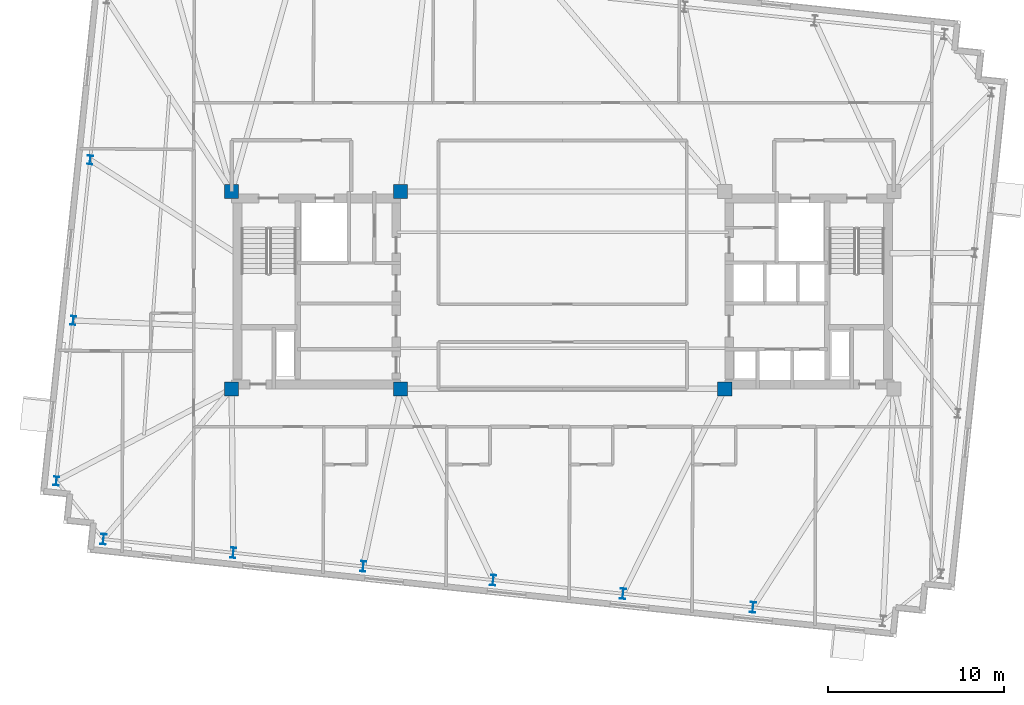
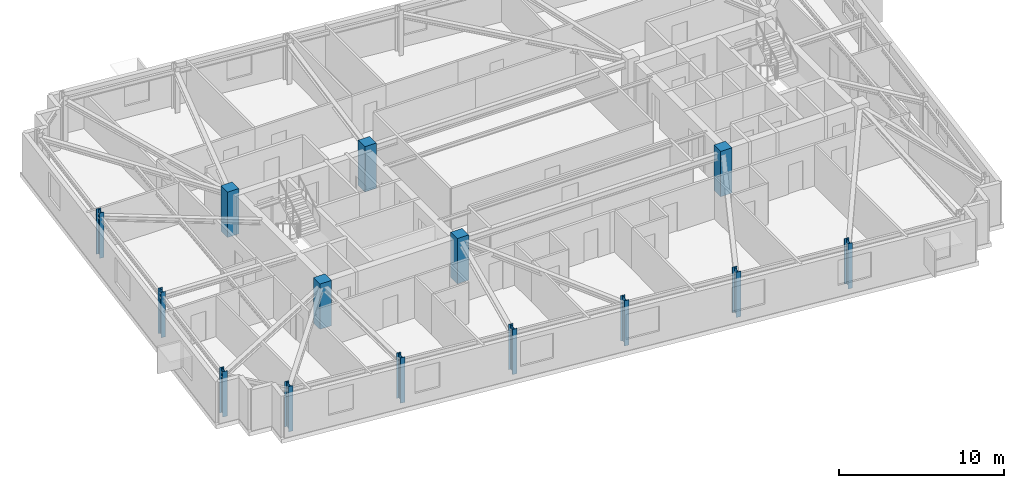
# One storey, part 1 of 11: 14 columns.
"""IFC4 building model written with IfcOpenShell, lengths in metres."""

from ifc_helpers import new_model, si_unit, direction, frame, origin, origin_2d, place, context, subcontext, project, spatial, rectangle, i_section, extrude, material, material_profile, profile_set, type_object, element, save


model = new_model("IFC4")

# Units and contexts
model_context = context("Model", 3, precision=1e-05, world=origin(), true_north=direction((0.0, 1.0)))
body_context = subcontext(model_context, "Body", "Model", "MODEL_VIEW")
ifc_project = project(units=[si_unit("LENGTHUNIT", "METRE"), si_unit("AREAUNIT", "SQUARE_METRE"), si_unit("VOLUMEUNIT", "CUBIC_METRE"), si_unit("PLANEANGLEUNIT", "RADIAN"), si_unit("MASSUNIT", "GRAM", prefix="KILO")], contexts=[model_context])

# Site, building, storey
site_placement = place(None, origin())
site = spatial("IfcSite", under=ifc_project, at=site_placement, CompositionType="ELEMENT")
building_placement = place(site_placement, origin())
building = spatial("IfcBuilding", under=site, at=building_placement, Name="Qobustan Lattice House", CompositionType="ELEMENT")
storey_placement = place(building_placement, frame((0.0, 0.0, 213.14990234375)))
storey = spatial("IfcBuildingStorey", under=building, at=storey_placement, Name="L60", CompositionType="ELEMENT", Elevation=213.14990234375)

# Columns
ifc_material_1 = material(Name="Concrete C50/60", Category="concrete")
ifc_material_profile_1 = material_profile(ifc_material_1, rectangle(XDim=0.800048828125, YDim=0.800048828125, at=origin_2d()), Name="RC800x800")
ifc_profile_set_1 = profile_set([ifc_material_profile_1], Name="Concrete C50/60")
column_type_1 = type_object("IfcColumnType", Name="COL-RC-800", PredefinedType="COLUMN", material=ifc_profile_set_1)
for number, where, z_axis, x_axis, name in (
    (1, (-18.800048828125, -5.60009765625, 0.0), (0.0, 0.0, 1.0), (1.0, 0.0, 0.0), "L60 core mega-column CW-SW"),
    (2, (-18.800048828125, 5.60009765625, 0.0), (0.0, 0.0, 1.0), (1.0, 0.0, 0.0), "L60 core mega-column CW-NW"),
    (3, (-9.199951171875, -5.60009765625, 0.0), (0.0, 0.0, 1.0), (1.0, 0.0, 0.0), "L60 core mega-column CW-SE"),
    (4, (-9.199951171875, 5.60009765625, 0.0), (0.0, 0.0, 1.0), (1.0, 0.0, 0.0), "L60 core mega-column CW-NE"),
    (5, (9.199951171875, -5.60009765625, 0.0), (0.0, 0.0, 1.0), (1.0, 0.0, 0.0), "L60 core mega-column CE-SW"),
):
    element("IfcColumn", number, at=place(storey_placement, frame(where, z_axis=z_axis, x_axis=x_axis)), inside=storey, type_object=column_type_1, Name=name, PredefinedType="COLUMN", context=body_context, shape_type="SweptSolid", body=[
        extrude(rectangle(XDim=0.800048828125, YDim=0.800048828125, at=origin_2d()), origin(), (0.0, 0.0, 1.0), 3.35009765625),
    ])
ifc_material_2 = material(Name="Steel S355", Category="steel")
ifc_material_profile_2 = material_profile(ifc_material_2, i_section(OverallWidth=0.300048828125, OverallDepth=0.5, WebThickness=0.014404296875, FlangeThickness=0.028076171875, FilletRadius=0.027099609375, at=origin_2d()), Name="HEB500")
ifc_profile_set_2 = profile_set([ifc_material_profile_2], Name="Steel S355")
column_type_2 = type_object("IfcColumnType", Name="COL-ST-HEB500", PredefinedType="COLUMN", material=ifc_profile_set_2)
for number, where, z_axis, x_axis, name in (
    (6, (-26.83251953125, 7.397705078125, 0.0), (0.0, 0.0, 1.0), (0.994521895368, -0.104528463268, 0.0), "L60 B4 perimeter column W2"),
    (7, (-27.790771484375, -1.718994140625, 0.0), (0.0, 0.0, 1.0), (0.994521895368, -0.104528463268, 0.0), "L60 B4 perimeter column W3"),
    (8, (-28.748779296875, -10.835205078125, 0.0), (0.0, 0.0, 1.0), (0.994521895368, -0.104528463268, 0.0), "L60 B4 perimeter column W4"),
):
    element("IfcColumn", number, at=place(storey_placement, frame(where, z_axis=z_axis, x_axis=x_axis)), inside=storey, type_object=column_type_2, Name=name, PredefinedType="COLUMN", context=body_context, shape_type="SweptSolid", body=[
        extrude(i_section(OverallWidth=0.300048828125, OverallDepth=0.5, WebThickness=0.014404296875, FlangeThickness=0.028076171875, FilletRadius=0.027099609375, at=origin_2d()), origin(), (0.0, 0.0, 1.0), 3.35009765625),
    ])
ifc_material_3 = material(Name="Steel S355", Category="steel")
ifc_material_profile_3 = material_profile(ifc_material_3, i_section(OverallWidth=0.300048828125, OverallDepth=0.60009765625, WebThickness=0.015380859375, FlangeThickness=0.030029296875, FilletRadius=0.027099609375, at=origin_2d()), Name="HEB600")
ifc_profile_set_3 = profile_set([ifc_material_profile_3], Name="Steel S355")
column_type_3 = type_object("IfcColumnType", Name="COL-ST-HEB600", PredefinedType="COLUMN", material=ifc_profile_set_3)
for number, where, z_axis, x_axis, name in (
    (9, (-26.0791015625, -14.132568359375, 0.0), (0.0, 0.0, 1.0), (0.994521895368, -0.104528463268, 0.0), "L60 B4 perimeter column S1"),
    (10, (-18.702880859375, -14.90771484375, 0.0), (0.0, 0.0, 1.0), (0.994521895368, -0.104528463268, 0.0), "L60 B4 perimeter column S2"),
    (11, (-11.326904296875, -15.68310546875, 0.0), (0.0, 0.0, 1.0), (0.994521895368, -0.104528463268, 0.0), "L60 B4 perimeter column S3"),
    (12, (-3.950927734375, -16.458251953125, 0.0), (0.0, 0.0, 1.0), (0.994521895368, -0.104528463268, 0.0), "L60 B4 perimeter column S4"),
    (13, (3.42529296875, -17.2333984375, 0.0), (0.0, 0.0, 1.0), (0.994521895368, -0.104528463268, 0.0), "L60 B4 perimeter column S5"),
    (14, (10.80126953125, -18.0087890625, 0.0), (0.0, 0.0, 1.0), (0.994521895368, -0.104528463268, 0.0), "L60 B4 perimeter column S6"),
):
    element("IfcColumn", number, at=place(storey_placement, frame(where, z_axis=z_axis, x_axis=x_axis)), inside=storey, type_object=column_type_3, Name=name, PredefinedType="COLUMN", context=body_context, shape_type="SweptSolid", body=[
        extrude(i_section(OverallWidth=0.300048828125, OverallDepth=0.60009765625, WebThickness=0.015380859375, FlangeThickness=0.030029296875, FilletRadius=0.027099609375, at=origin_2d()), origin(), (0.0, 0.0, 1.0), 3.35009765625),
    ])

save(model, "model.ifc")
